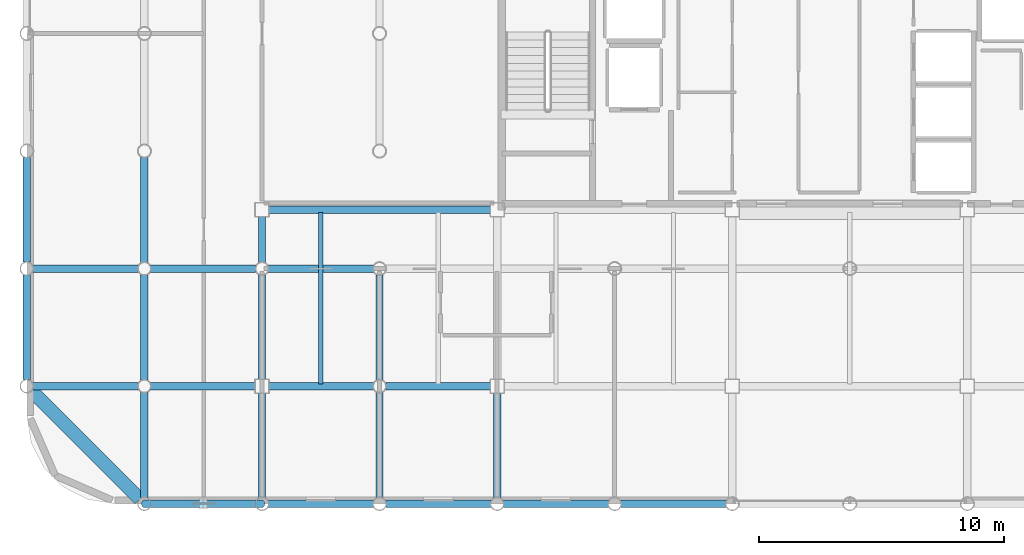
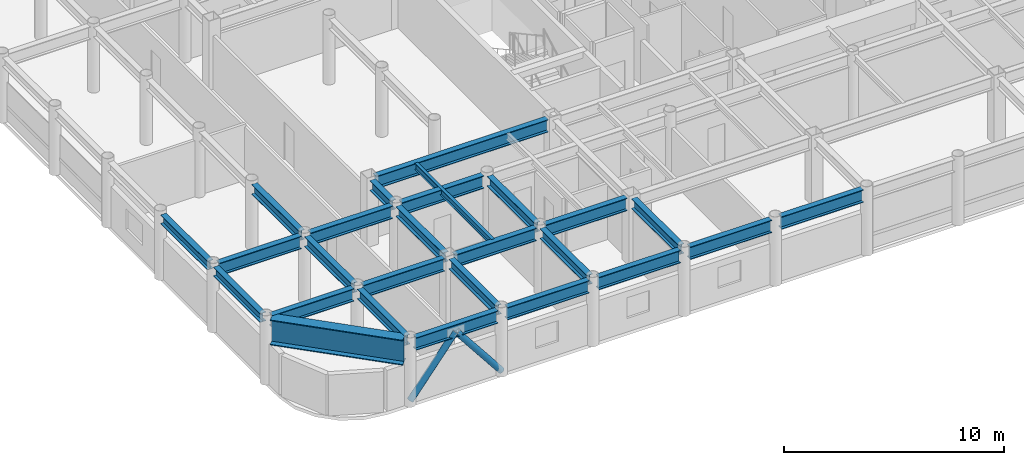
# One storey, part 3 of 22: 26 beams, 2 members.
"""IFC4 building model written with IfcOpenShell, lengths in metres."""

from ifc_helpers import new_model, si_unit, direction, frame, origin, origin_2d, place, context, subcontext, project, spatial, hollow_circle, i_section, extrude, material, material_profile, profile_set, type_object, element, save


model = new_model("IFC4")

# Units and contexts
model_context = context("Model", 3, precision=1e-05, world=origin(), true_north=direction((0.0, 1.0)))
body_context = subcontext(model_context, "Body", "Model", "MODEL_VIEW")
ifc_project = project(units=[si_unit("LENGTHUNIT", "METRE"), si_unit("AREAUNIT", "SQUARE_METRE"), si_unit("VOLUMEUNIT", "CUBIC_METRE"), si_unit("PLANEANGLEUNIT", "RADIAN"), si_unit("MASSUNIT", "GRAM", prefix="KILO")], contexts=[model_context])

# Site, building, storey
site_placement = place(None, origin())
site = spatial("IfcSite", under=ifc_project, at=site_placement, CompositionType="ELEMENT")
building_placement = place(site_placement, origin())
building = spatial("IfcBuilding", under=site, at=building_placement, Name="Kallvorn Hotel Tower", CompositionType="ELEMENT")
storey_placement = place(building_placement, frame((0.0, 0.0, 260.800048828125)))
storey = spatial("IfcBuildingStorey", under=building, at=storey_placement, Name="L65", CompositionType="ELEMENT", Elevation=260.800048828125)

# Beams
ifc_material_1 = material(Name="Structural steel S355JR", Category="steel")
ifc_material_profile_1 = material_profile(ifc_material_1, i_section(OverallWidth=0.300048828125, OverallDepth=0.5, WebThickness=0.014404296875, FlangeThickness=0.028076171875, at=origin_2d()), Name="HE 500 B")
ifc_profile_set_1 = profile_set([ifc_material_profile_1], Name="Structural steel S355JR")
beam_type_1 = type_object("IfcBeamType", Name="BM_HE500B", PredefinedType="SPANDREL", material=ifc_profile_set_1)
beam_1_placement = place(storey_placement, frame((-33.60009765625, -14.130615234375, 3.419921875), z_axis=(0.0, 1.0, 0.0), x_axis=(-1.0, 0.0, 0.0)))
element("IfcBeam", 1, at=beam_1_placement, inside=storey, type_object=beam_type_1, Name="L66 Perimeter Spandrel 174", PredefinedType="SPANDREL", context=body_context, shape_type="SweptSolid", body=[
    extrude(i_section(OverallWidth=0.300048828125, OverallDepth=0.5, WebThickness=0.014404296875, FlangeThickness=0.028076171875, at=origin_2d()), origin(), (0.0, 0.0, 1.0), 4.26123046875),
])
beam_2_placement = place(storey_placement, frame((-33.60009765625, -9.33056640625, 3.419921875), z_axis=(0.0, 1.0, 0.0), x_axis=(-1.0, 0.0, 0.0)))
element("IfcBeam", 2, at=beam_2_placement, inside=storey, type_object=beam_type_1, Name="L66 Perimeter Spandrel 175", PredefinedType="SPANDREL", context=body_context, shape_type="SweptSolid", body=[
    extrude(i_section(OverallWidth=0.300048828125, OverallDepth=0.5, WebThickness=0.014404296875, FlangeThickness=0.028076171875, at=origin_2d()), origin(), (0.0, 0.0, 1.0), 4.260986328125),
])
ifc_material_2 = material(Name="Structural steel S355JR", Category="steel")
ifc_material_profile_2 = material_profile(ifc_material_2, i_section(OverallWidth=0.300048828125, OverallDepth=0.550048828125, WebThickness=0.014892578125, FlangeThickness=0.029052734375, at=origin_2d()), Name="HE 550 B")
ifc_profile_set_2 = profile_set([ifc_material_profile_2], Name="Structural steel S355JR")
beam_type_2 = type_object("IfcBeamType", Name="BM_HE550B", PredefinedType="SPANDREL", material=ifc_profile_set_2)
for number, where, z_axis, x_axis, name in (
    (3, (-28.800048828125, -18.945556640625, 3.39501953125), (0.0, 1.0, 0.0), (-1.0, 0.0, 0.0), "L66 Primary Y-Girder 73"),
    (4, (-28.800048828125, -14.1455078125, 3.39501953125), (0.0, 1.0, 0.0), (-1.0, 0.0, 0.0), "L66 Primary Y-Girder 74"),
    (5, (-28.800048828125, -9.345458984375, 3.39501953125), (0.0, 1.0, 0.0), (-1.0, 0.0, 0.0), "L66 Primary Y-Girder 75"),
):
    element("IfcBeam", number, at=place(storey_placement, frame(where, z_axis=z_axis, x_axis=x_axis)), inside=storey, type_object=beam_type_2, Name=name, PredefinedType="SPANDREL", context=body_context, shape_type="SweptSolid", body=[
        extrude(i_section(OverallWidth=0.300048828125, OverallDepth=0.550048828125, WebThickness=0.014892578125, FlangeThickness=0.029052734375, at=origin_2d()), origin(), (0.0, 0.0, 1.0), 4.291015625),
    ])
for number, where, z_axis, x_axis, name in (
    (6, (-24.0, -18.945556640625, 3.39501953125), (0.0, 1.0, 0.0), (-1.0, 0.0, 0.0), "L66 Primary Y-Girder 82"),
    (7, (-24.0, -14.125, 3.39501953125), (0.0, 1.0, 0.0), (-1.0, 0.0, 0.0), "L66 Primary Y-Girder 83"),
):
    element("IfcBeam", number, at=place(storey_placement, frame(where, z_axis=z_axis, x_axis=x_axis)), inside=storey, type_object=beam_type_2, Name=name, PredefinedType="SPANDREL", context=body_context, shape_type="SweptSolid", body=[
        extrude(i_section(OverallWidth=0.300048828125, OverallDepth=0.550048828125, WebThickness=0.014892578125, FlangeThickness=0.029052734375, at=origin_2d()), origin(), (0.0, 0.0, 1.0), 4.2705078125),
    ])
beam_3_placement = place(storey_placement, frame((-24.0, -9.345458984375, 3.39501953125), z_axis=(0.0, 1.0, 0.0), x_axis=(-1.0, 0.0, 0.0)))
element("IfcBeam", 8, at=beam_3_placement, inside=storey, type_object=beam_type_2, Name="L66 Primary Y-Girder 84", PredefinedType="SPANDREL", context=body_context, shape_type="SweptSolid", body=[
    extrude(i_section(OverallWidth=0.300048828125, OverallDepth=0.550048828125, WebThickness=0.014892578125, FlangeThickness=0.029052734375, at=origin_2d()), origin(), (0.0, 0.0, 1.0), 1.870361328125),
])
for number, where, z_axis, x_axis, name in (
    (9, (-19.199951171875, -18.945556640625, 3.39501953125), (0.0, 1.0, 0.0), (-1.0, 0.0, 0.0), "L66 Primary Y-Girder 89"),
    (10, (-19.199951171875, -14.1455078125, 3.39501953125), (0.0, 1.0, 0.0), (-1.0, 0.0, 0.0), "L66 Primary Y-Girder 90"),
):
    element("IfcBeam", number, at=place(storey_placement, frame(where, z_axis=z_axis, x_axis=x_axis)), inside=storey, type_object=beam_type_2, Name=name, PredefinedType="SPANDREL", context=body_context, shape_type="SweptSolid", body=[
        extrude(i_section(OverallWidth=0.300048828125, OverallDepth=0.550048828125, WebThickness=0.014892578125, FlangeThickness=0.029052734375, at=origin_2d()), origin(), (0.0, 0.0, 1.0), 4.291015625),
    ])
beam_4_placement = place(storey_placement, frame((-14.39990234375, -18.945556640625, 3.39501953125), z_axis=(0.0, 1.0, 0.0), x_axis=(-1.0, 0.0, 0.0)))
element("IfcBeam", 11, at=beam_4_placement, inside=storey, type_object=beam_type_2, Name="L66 Primary Y-Girder 98", PredefinedType="SPANDREL", context=body_context, shape_type="SweptSolid", body=[
    extrude(i_section(OverallWidth=0.300048828125, OverallDepth=0.550048828125, WebThickness=0.014892578125, FlangeThickness=0.029052734375, at=origin_2d()), origin(), (0.0, 0.0, 1.0), 4.2705078125),
])
ifc_material_3 = material(Name="Structural steel S355JR", Category="steel")
ifc_material_profile_3 = material_profile(ifc_material_3, i_section(OverallWidth=0.300048828125, OverallDepth=0.699951171875, WebThickness=0.01708984375, FlangeThickness=0.031982421875, at=origin_2d()), Name="HE 700 B")
ifc_profile_set_3 = profile_set([ifc_material_profile_3], Name="Structural steel S355JR")
beam_type_3 = type_object("IfcBeamType", Name="BM_HE700B", PredefinedType="BEAM", material=ifc_profile_set_3)
for number, where, z_axis, x_axis, name in (
    (12, (-28.54541015625, -19.199951171875, 3.320068359375), (1.0, 0.0, 0.0), (0.0, 1.0, 0.0), "L66 Primary X-Girder 01"),
    (13, (-23.74560546875, -19.199951171875, 3.320068359375), (1.0, 0.0, 0.0), (0.0, 1.0, 0.0), "L66 Primary X-Girder 02"),
    (14, (-18.945556640625, -19.199951171875, 3.320068359375), (1.0, 0.0, 0.0), (0.0, 1.0, 0.0), "L66 Primary X-Girder 03"),
    (15, (-14.1455078125, -19.199951171875, 3.320068359375), (1.0, 0.0, 0.0), (0.0, 1.0, 0.0), "L66 Primary X-Girder 04"),
    (16, (-9.345458984375, -19.199951171875, 3.320068359375), (1.0, 0.0, 0.0), (0.0, 1.0, 0.0), "L66 Primary X-Girder 05"),
    (17, (-33.345458984375, -14.39990234375, 3.320068359375), (1.0, 0.0, 0.0), (0.0, 1.0, 0.0), "L66 Primary X-Girder 13"),
):
    element("IfcBeam", number, at=place(storey_placement, frame(where, z_axis=z_axis, x_axis=x_axis)), inside=storey, type_object=beam_type_3, Name=name, PredefinedType="BEAM", context=body_context, shape_type="SweptSolid", body=[
        extrude(i_section(OverallWidth=0.300048828125, OverallDepth=0.699951171875, WebThickness=0.01708984375, FlangeThickness=0.031982421875, at=origin_2d()), origin(), (0.0, 0.0, 1.0), 4.291015625),
    ])
for number, where, z_axis, x_axis, name in (
    (18, (-28.54541015625, -14.39990234375, 3.320068359375), (1.0, 0.0, 0.0), (0.0, 1.0, 0.0), "L66 Primary X-Girder 14"),
    (19, (-23.72509765625, -14.39990234375, 3.320068359375), (1.0, 0.0, 0.0), (0.0, 1.0, 0.0), "L66 Primary X-Girder 15"),
    (20, (-18.945556640625, -14.39990234375, 3.320068359375), (1.0, 0.0, 0.0), (0.0, 1.0, 0.0), "L66 Primary X-Girder 16"),
):
    element("IfcBeam", number, at=place(storey_placement, frame(where, z_axis=z_axis, x_axis=x_axis)), inside=storey, type_object=beam_type_3, Name=name, PredefinedType="BEAM", context=body_context, shape_type="SweptSolid", body=[
        extrude(i_section(OverallWidth=0.300048828125, OverallDepth=0.699951171875, WebThickness=0.01708984375, FlangeThickness=0.031982421875, at=origin_2d()), origin(), (0.0, 0.0, 1.0), 4.2705078125),
    ])
for number, where, z_axis, x_axis, name in (
    (21, (-33.345458984375, -9.60009765625, 3.320068359375), (1.0, 0.0, 0.0), (0.0, 1.0, 0.0), "L66 Primary X-Girder 23"),
    (22, (-28.54541015625, -9.60009765625, 3.320068359375), (1.0, 0.0, 0.0), (0.0, 1.0, 0.0), "L66 Primary X-Girder 24"),
    (23, (-23.74560546875, -9.60009765625, 3.320068359375), (1.0, 0.0, 0.0), (0.0, 1.0, 0.0), "L66 Primary X-Girder 25"),
):
    element("IfcBeam", number, at=place(storey_placement, frame(where, z_axis=z_axis, x_axis=x_axis)), inside=storey, type_object=beam_type_3, Name=name, PredefinedType="BEAM", context=body_context, shape_type="SweptSolid", body=[
        extrude(i_section(OverallWidth=0.300048828125, OverallDepth=0.699951171875, WebThickness=0.01708984375, FlangeThickness=0.031982421875, at=origin_2d()), origin(), (0.0, 0.0, 1.0), 4.291015625),
    ])
beam_5_placement = place(storey_placement, frame((-23.72509765625, -7.199951171875, 3.320068359375), z_axis=(1.0, 0.0, 0.0), x_axis=(0.0, 1.0, 0.0)))
element("IfcBeam", 24, at=beam_5_placement, inside=storey, type_object=beam_type_3, Name="L66 Primary X-Girder 32", PredefinedType="BEAM", context=body_context, shape_type="SweptSolid", body=[
    extrude(i_section(OverallWidth=0.300048828125, OverallDepth=0.699951171875, WebThickness=0.01708984375, FlangeThickness=0.031982421875, at=origin_2d()), origin(), (0.0, 0.0, 1.0), 9.050048828125),
])
ifc_material_4 = material(Name="Structural steel S355JR", Category="steel")
ifc_material_profile_4 = material_profile(ifc_material_4, i_section(OverallWidth=0.169921875, OverallDepth=0.360107421875, WebThickness=0.008056640625, FlangeThickness=0.0126953125, at=origin_2d()), Name="IPE 360")
ifc_profile_set_4 = profile_set([ifc_material_profile_4], Name="Structural steel S355JR")
beam_type_4 = type_object("IfcBeamType", Name="BM_IPE360", PredefinedType="JOIST", material=ifc_profile_set_4)
beam_6_placement = place(storey_placement, frame((-21.60009765625, -14.300048828125, 3.489990234375), z_axis=(0.0, 1.0, 0.0), x_axis=(-1.0, 0.0, 0.0)))
element("IfcBeam", 25, at=beam_6_placement, inside=storey, type_object=beam_type_4, Name="L66 Secondary Composite Joist 192", PredefinedType="JOIST", context=body_context, shape_type="SweptSolid", body=[
    extrude(i_section(OverallWidth=0.169921875, OverallDepth=0.360107421875, WebThickness=0.008056640625, FlangeThickness=0.0126953125, at=origin_2d()), origin(), (0.0, 0.0, 1.0), 7.0),
])
ifc_material_5 = material(Name="Structural steel S355JR", Category="steel")
ifc_material_profile_5 = material_profile(ifc_material_5, i_section(OverallWidth=0.550048828125, OverallDepth=1.39990234375, WebThickness=0.02490234375, FlangeThickness=0.044921875, at=origin_2d()), Name="PG 1400x550x25x45")
ifc_profile_set_5 = profile_set([ifc_material_profile_5], Name="Structural steel S355JR")
beam_type_5 = type_object("IfcBeamType", Name="BM_PG_1400", PredefinedType="BEAM", material=ifc_profile_set_5)
beam_7_placement = place(storey_placement, frame((-33.409423828125, -14.590576171875, 2.969970703125), z_axis=(0.707106781187, -0.707106781187, 0.0), x_axis=(0.707106781187, 0.707106781187, 0.0)))
element("IfcBeam", 26, at=beam_7_placement, inside=storey, type_object=beam_type_5, Name="L66 Rounded Corner Tie Beam 189", PredefinedType="BEAM", context=body_context, shape_type="SweptSolid", body=[
    extrude(i_section(OverallWidth=0.550048828125, OverallDepth=1.39990234375, WebThickness=0.02490234375, FlangeThickness=0.044921875, at=origin_2d()), origin(), (0.0, 0.0, 1.0), 6.249267578125),
])

# Members
ifc_material_6 = material(Name="Structural steel S355J2H", Category="steel")
ifc_material_profile_6 = material_profile(ifc_material_6, hollow_circle(Radius=0.161865234375, WallThickness=0.012451171875, at=origin_2d()), Name="CHS 323.9x12.5")
ifc_profile_set_6 = profile_set([ifc_material_profile_6], Name="Structural steel S355J2H")
member_type = type_object("IfcMemberType", Name="MBR_EXO_CHS323", PredefinedType="BRACE", material=ifc_profile_set_6)
for number, where, z_axis, x_axis, name in (
    (27, (-28.78759765625, -19.199951171875, 0.195556640625), (0.62089744796, 0.0, 0.783891803196), (0.0, 1.0, 0.0), "L65 Exoskeleton K-Brace S1A"),
    (28, (-24.012451171875, -19.199951171875, 0.195556640625), (-0.62089744796, 0.0, 0.783891803196), (0.0, -1.0, 0.0), "L65 Exoskeleton K-Brace S1B"),
):
    element("IfcMember", number, at=place(storey_placement, frame(where, z_axis=z_axis, x_axis=x_axis)), inside=storey, type_object=member_type, Name=name, PredefinedType="BRACE", context=body_context, shape_type="SweptSolid", body=[
        extrude(hollow_circle(Radius=0.161865234375, WallThickness=0.012451171875, at=origin_2d()), origin(), (0.0, 0.0, 1.0), 3.825439453125),
    ])

save(model, "model.ifc")
